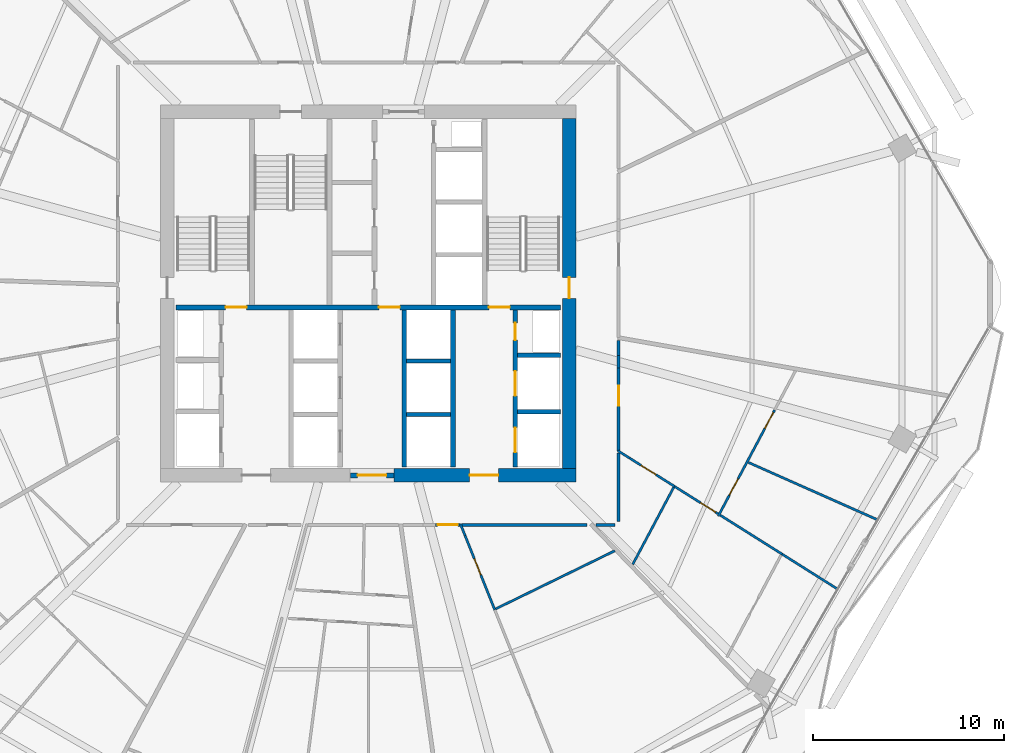
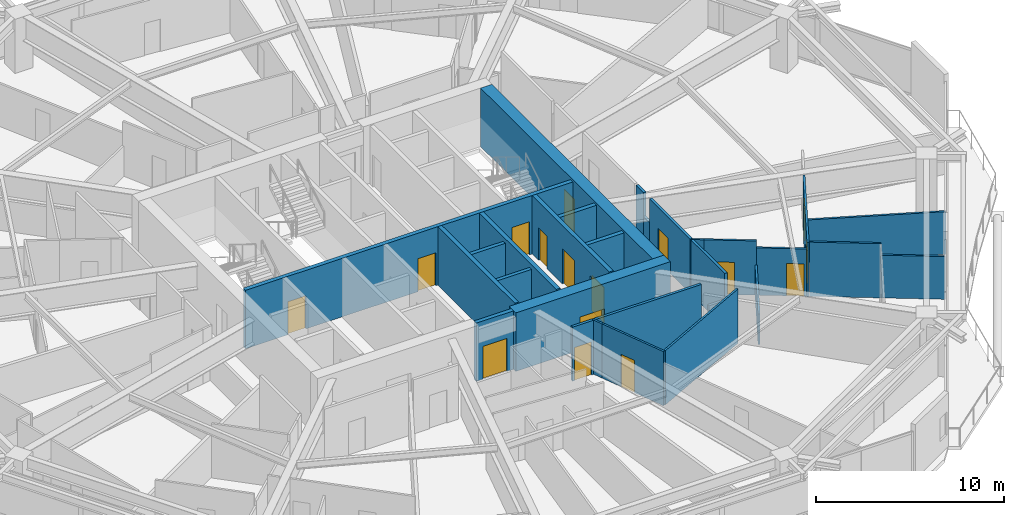
# One storey, part 28 of 33: 29 walls, 16 doors, 16 openings.
"""IFC4 building model written with IfcOpenShell, lengths in metres."""

from ifc_helpers import new_model, si_unit, direction, frame, frame_2d, origin, place, context, subcontext, project, spatial, rectangle, extrude, material, layer, layer_set, type_object, element, fill, save


model = new_model("IFC4")

# Units and contexts
model_context = context("Model", 3, precision=1e-05, world=origin(), true_north=direction((0.0, 1.0)))
body_context = subcontext(model_context, "Body", "Model", "MODEL_VIEW")
ifc_project = project(units=[si_unit("LENGTHUNIT", "METRE"), si_unit("AREAUNIT", "SQUARE_METRE"), si_unit("VOLUMEUNIT", "CUBIC_METRE"), si_unit("PLANEANGLEUNIT", "RADIAN"), si_unit("MASSUNIT", "GRAM", prefix="KILO")], contexts=[model_context])

# Site, building, storey
site_placement = place(None, origin())
site = spatial("IfcSite", under=ifc_project, at=site_placement, CompositionType="ELEMENT")
building_placement = place(site_placement, origin())
building = spatial("IfcBuilding", under=site, at=building_placement, Name="Zuhravey Tower", CompositionType="ELEMENT")
storey_placement = place(building_placement, frame((0.0, 0.0, 141.800048828125)))
storey = spatial("IfcBuildingStorey", under=building, at=storey_placement, Name="L35", CompositionType="ELEMENT", Elevation=141.800048828125)

# Wall, opening, door
ifc_material_1 = material(Name="Concrete C60/75", Category="concrete")
ifc_layer_1 = layer(ifc_material_1, 0.699951171875)
ifc_layer_set_1 = layer_set([ifc_layer_1], Name="Concrete C60/75")
wall_type_1 = type_object("IfcWallType", Name="Core Shear Wall 700", PredefinedType="SHEAR", material=ifc_layer_set_1)
wall_1_placement = place(storey_placement, frame((37.35009765625, 22.5, 0.0), z_axis=(0.0, 0.0, 1.0), x_axis=(1.0, 0.0, 0.0)))
wall_1 = element("IfcWall", 1, at=wall_1_placement, inside=storey, type_object=wall_type_1, Name="L35 South-East Core Shear Wall CW70", PredefinedType="SHEAR", context=body_context, shape_type="SweptSolid", body=[
    extrude(rectangle(XDim=9.5, YDim=0.699951171875, at=frame_2d((4.75, 0.0))), origin(), (0.0, 0.0, 1.0), 3.800048828125),
])
opening_1_placement = place(wall_1_placement, frame((3.949951171875, 0.0, 0.0)))
opening_1 = element("IfcOpeningElement", 2, at=opening_1_placement, cuts=wall_1, Name="Opening FFD1", PredefinedType="OPENING", context=body_context, shape_type="SweptSolid", body=[
    extrude(rectangle(XDim=1.5, YDim=2.14990234375, at=frame_2d((0.75, 1.074951171875))), frame((0.0, 0.362060546875, 0.0), z_axis=(0.0, -1.0, 0.0), x_axis=(1.0, 0.0, 0.0)), (0.0, 0.0, 1.0), 0.723876953125),
])
ifc_material_2 = material(Name="Galvanised fire-rated steel leaf", Category="steel")
door_type_1 = type_object("IfcDoorType", Name="Firefighting Lobby Double Door 1500x2150", OperationType="DOUBLE_DOOR_SINGLE_SWING", PredefinedType="DOOR", material=ifc_material_2)
door_1_placement = place(opening_1_placement, origin())
door_1 = element("IfcDoor", 3, at=door_1_placement, inside=storey, type_object=door_type_1, Name="L35 Firefighting Lobby East Door", OperationType="DOUBLE_DOOR_SINGLE_SWING", OverallHeight=2.14990234375, OverallWidth=1.5, PredefinedType="DOOR", context=body_context, shape_type="SweptSolid", body=[
    extrude(rectangle(XDim=1.5, YDim=2.14990234375, at=frame_2d((0.75, 1.074951171875))), frame((0.0, 0.02490234375, 0.0), z_axis=(0.0, -1.0, 0.0), x_axis=(1.0, 0.0, 0.0)), (0.0, 0.0, 1.0), 0.050048828125),
])
fill(opening_1, door_1)

wall_2_placement = place(storey_placement, frame((46.5, 22.85009765625, 0.0), z_axis=(0.0, 0.0, 1.0), x_axis=(0.0, 1.0, 0.0)))
wall_2 = element("IfcWall", 4, at=wall_2_placement, inside=storey, type_object=wall_type_1, Name="L35 East Core Shear Wall CW70", PredefinedType="SHEAR", context=body_context, shape_type="SweptSolid", body=[
    extrude(rectangle(XDim=18.2998046875, YDim=0.699951171875, at=frame_2d((9.14990234375, 0.0))), origin(), (0.0, 0.0, 1.0), 3.800048828125),
])
opening_2_placement = place(wall_2_placement, frame((8.89990234375, 0.0, 0.0)))
opening_2 = element("IfcOpeningElement", 5, at=opening_2_placement, cuts=wall_2, Name="Opening STD1", PredefinedType="OPENING", context=body_context, shape_type="SweptSolid", body=[
    extrude(rectangle(XDim=1.10009765625, YDim=2.14990234375, at=frame_2d((0.550048828125, 1.074951171875))), frame((0.0, 0.362060546875, 0.0), z_axis=(0.0, -1.0, 0.0), x_axis=(1.0, 0.0, 0.0)), (0.0, 0.0, 1.0), 0.723876953125),
])
door_type_2 = type_object("IfcDoorType", Name="Protected Stair Fire Door 1100x2150", OperationType="NOTDEFINED", PredefinedType="USERDEFINED", material=ifc_material_2)
door_2_placement = place(opening_2_placement, origin())
door_2 = element("IfcDoor", 6, at=door_2_placement, inside=storey, type_object=door_type_2, Name="L35 Stair ST2 Door", ObjectType="EXITDOOR", OperationType="SINGLE_SWING_LEFT", OverallHeight=2.14990234375, OverallWidth=1.10009765625, PredefinedType="USERDEFINED", context=body_context, shape_type="SweptSolid", body=[
    extrude(rectangle(XDim=1.10009765625, YDim=2.14990234375, at=frame_2d((0.550048828125, 1.074951171875))), frame((0.0, 0.02490234375, 0.0), z_axis=(0.0, -1.0, 0.0), x_axis=(1.0, 0.0, 0.0)), (0.0, 0.0, 1.0), 0.050048828125),
])
fill(opening_2, door_2)

ifc_material_3 = material(Name="Gypsum fire-rated stud partition")
ifc_layer_2 = layer(ifc_material_3, 0.159912109375)
ifc_layer_set_2 = layer_set([ifc_layer_2], Name="Gypsum fire-rated stud partition")
wall_type_2 = type_object("IfcWallType", Name="Corridor Fire Partition 160", PredefinedType="PARTITIONING", material=ifc_layer_set_2)
wall_3_placement = place(storey_placement, frame((39.507080078125, 19.919921875, 0.0), z_axis=(0.0, 0.0, 1.0), x_axis=(1.0, 0.0, 0.0)))
wall_3 = element("IfcWall", 7, at=wall_3_placement, inside=storey, type_object=wall_type_2, Name="L35 IW16 Partition 058", PredefinedType="PARTITIONING", context=body_context, shape_type="SweptSolid", body=[
    extrude(rectangle(XDim=1.302978515625, YDim=0.159912109375, at=frame_2d((0.6513671875, 0.0))), origin(), (0.0, 0.0, 1.0), 3.52001953125),
])
opening_3_placement = place(wall_3_placement, frame((0.1201171875, 0.0, 0.0)))
opening_3 = element("IfcOpeningElement", 8, at=opening_3_placement, cuts=wall_3, Name="Opening APD1", PredefinedType="OPENING", context=body_context, shape_type="SweptSolid", body=[
    extrude(rectangle(XDim=1.050048828125, YDim=2.14990234375, at=frame_2d((0.52490234375, 1.074951171875))), frame((0.0, 0.092041015625, 0.0), z_axis=(0.0, -1.0, 0.0), x_axis=(1.0, 0.0, 0.0)), (0.0, 0.0, 1.0), 0.183837890625),
])
ifc_material_4 = material(Name="Solid-core oak fire-rated leaf")
door_type_3 = type_object("IfcDoorType", Name="Apartment Entrance Fire Door 1050x2150", OperationType="NOTDEFINED", PredefinedType="DOOR", material=ifc_material_4)
door_3_placement = place(opening_3_placement, frame((1.050048828125, 0.0, 0.0), z_axis=(0.0, 0.0, 1.0), x_axis=(-1.0, 0.0, 0.0)))
door_3 = element("IfcDoor", 9, at=door_3_placement, inside=storey, type_object=door_type_3, Name="L35 Door 058.1", OperationType="SINGLE_SWING_RIGHT", OverallHeight=2.14990234375, OverallWidth=1.050048828125, PredefinedType="DOOR", context=body_context, shape_type="SweptSolid", body=[
    extrude(rectangle(XDim=1.050048828125, YDim=2.14990234375, at=frame_2d((0.52490234375, 1.074951171875))), frame((0.0, 0.02490234375, 0.0), z_axis=(0.0, -1.0, 0.0), x_axis=(1.0, 0.0, 0.0)), (0.0, 0.0, 1.0), 0.050048828125),
])
fill(opening_3, door_3)

wall_4_placement = place(storey_placement, frame((49.080078125, 23.78662109375, 0.0), z_axis=(0.0, 0.0, 1.0), x_axis=(0.0, 1.0, 0.0)))
wall_4 = element("IfcWall", 10, at=wall_4_placement, inside=storey, type_object=wall_type_2, Name="L35 IW16 Partition 064", PredefinedType="PARTITIONING", context=body_context, shape_type="SweptSolid", body=[
    extrude(rectangle(XDim=4.33056640625, YDim=0.159912109375, at=frame_2d((2.165283203125, 0.0))), origin(), (0.0, 0.0, 1.0), 3.52001953125),
])
opening_4_placement = place(wall_4_placement, frame((2.359375, 0.0, 0.0)))
opening_4 = element("IfcOpeningElement", 11, at=opening_4_placement, cuts=wall_4, Name="Opening APD1", PredefinedType="OPENING", context=body_context, shape_type="SweptSolid", body=[
    extrude(rectangle(XDim=1.050048828125, YDim=2.14990234375, at=frame_2d((0.52490234375, 1.074951171875))), frame((0.0, 0.092041015625, 0.0), z_axis=(0.0, -1.0, 0.0), x_axis=(1.0, 0.0, 0.0)), (0.0, 0.0, 1.0), 0.183837890625),
])
door_4_placement = place(opening_4_placement, frame((1.050048828125, 0.0, 0.0), z_axis=(0.0, 0.0, 1.0), x_axis=(-1.0, 0.0, 0.0)))
door_4 = element("IfcDoor", 12, at=door_4_placement, inside=storey, type_object=door_type_3, Name="L35 Door 064.1", OperationType="SINGLE_SWING_RIGHT", OverallHeight=2.14990234375, OverallWidth=1.050048828125, PredefinedType="DOOR", context=body_context, shape_type="SweptSolid", body=[
    extrude(rectangle(XDim=1.050048828125, YDim=2.14990234375, at=frame_2d((0.52490234375, 1.074951171875))), frame((0.0, 0.02490234375, 0.0), z_axis=(0.0, -1.0, 0.0), x_axis=(1.0, 0.0, 0.0)), (0.0, 0.0, 1.0), 0.050048828125),
])
fill(opening_4, door_4)

# Walls
wall_5_placement = place(storey_placement, frame((49.080078125, 28.1171875, 0.0), z_axis=(0.0, 0.0, 1.0), x_axis=(0.0, 1.0, 0.0)))
element("IfcWall", 13, at=wall_5_placement, inside=storey, type_object=wall_type_2, Name="L35 IW16 Partition 137", PredefinedType="PARTITIONING", context=body_context, shape_type="SweptSolid", body=[
    extrude(rectangle(XDim=0.644775390625, YDim=0.159912109375, at=frame_2d((0.322265625, 0.0))), origin(), (0.0, 0.0, 1.0), 1.969970703125),
])
wall_6_placement = place(storey_placement, frame((49.080078125, 28.761962890625, 0.0), z_axis=(0.0, 0.0, 1.0), x_axis=(0.0, 1.0, 0.0)))
element("IfcWall", 14, at=wall_6_placement, inside=storey, type_object=wall_type_2, Name="L35 IW16 Partition 138", PredefinedType="PARTITIONING", context=body_context, shape_type="SweptSolid", body=[
    extrude(rectangle(XDim=0.79345703125, YDim=0.159912109375, at=frame_2d((0.396728515625, 0.0))), origin(), (0.0, 0.0, 1.0), 3.52001953125),
])
wall_7_placement = place(storey_placement, frame((40.90478515625, 19.919921875, 0.0), z_axis=(0.0, 0.0, 1.0), x_axis=(1.0, 0.0, 0.0)))
element("IfcWall", 15, at=wall_7_placement, inside=storey, type_object=wall_type_2, Name="L35 IW16 Partition 151", PredefinedType="PARTITIONING", context=body_context, shape_type="SweptSolid", body=[
    extrude(rectangle(XDim=6.531005859375, YDim=0.159912109375, at=frame_2d((3.265625, 0.0))), origin(), (0.0, 0.0, 1.0), 3.52001953125),
])
wall_8_placement = place(storey_placement, frame((49.080078125, 20.10009765625, 0.0), z_axis=(0.0, 0.0, 1.0), x_axis=(0.0, 1.0, 0.0)))
element("IfcWall", 16, at=wall_8_placement, inside=storey, type_object=wall_type_2, Name="L35 IW16 Partition 152", PredefinedType="PARTITIONING", context=body_context, shape_type="SweptSolid", body=[
    extrude(rectangle(XDim=3.582763671875, YDim=0.159912109375, at=frame_2d((1.79150390625, 0.0))), origin(), (0.0, 0.0, 1.0), 3.52001953125),
])
wall_9_placement = place(storey_placement, frame((47.89892578125, 19.919921875, 0.0), z_axis=(0.0, 0.0, 1.0), x_axis=(1.0, 0.0, 0.0)))
element("IfcWall", 17, at=wall_9_placement, inside=storey, type_object=wall_type_2, Name="L35 IW16 Partition 153", PredefinedType="PARTITIONING", context=body_context, shape_type="SweptSolid", body=[
    extrude(rectangle(XDim=1.0009765625, YDim=0.159912109375, at=frame_2d((0.50048828125, 0.0))), origin(), (0.0, 0.0, 1.0), 1.969970703125),
])

# Wall, opening, door
ifc_material_5 = material(Name="Concrete C50/60", Category="concrete")
ifc_layer_3 = layer(ifc_material_5, 0.25)
ifc_layer_set_3 = layer_set([ifc_layer_3], Name="Concrete C50/60")
wall_type_3 = type_object("IfcWallType", Name="Firefighting Shaft & Stair Wall 250", PredefinedType="SOLIDWALL", material=ifc_layer_set_3)
wall_10_placement = place(storey_placement, frame((35.06005859375, 22.5, 0.0), z_axis=(0.0, 0.0, 1.0), x_axis=(1.0, 0.0, 0.0)))
wall_10 = element("IfcWall", 18, at=wall_10_placement, inside=storey, type_object=wall_type_3, Name="L35 FW25 Shaft Wall 001", PredefinedType="SOLIDWALL", context=body_context, shape_type="SweptSolid", body=[
    extrude(rectangle(XDim=2.280029296875, YDim=0.25, at=frame_2d((1.14013671875, 0.0))), origin(), (0.0, 0.0, 1.0), 3.800048828125),
])
opening_5_placement = place(wall_10_placement, frame((0.389892578125, 0.0, 0.0)))
opening_5 = element("IfcOpeningElement", 19, at=opening_5_placement, cuts=wall_10, Name="Opening FFD1", PredefinedType="OPENING", context=body_context, shape_type="SweptSolid", body=[
    extrude(rectangle(XDim=1.5, YDim=2.14990234375, at=frame_2d((0.75, 1.074951171875))), frame((0.0, 0.136962890625, 0.0), z_axis=(0.0, -1.0, 0.0), x_axis=(1.0, 0.0, 0.0)), (0.0, 0.0, 1.0), 0.27392578125),
])
door_5_placement = place(opening_5_placement, frame((1.5, 0.0, 0.0), z_axis=(0.0, 0.0, 1.0), x_axis=(-1.0, 0.0, 0.0)))
door_5 = element("IfcDoor", 20, at=door_5_placement, inside=storey, type_object=door_type_1, Name="L35 South Lift Lobby Exit Door", OperationType="DOUBLE_DOOR_SINGLE_SWING", OverallHeight=2.14990234375, OverallWidth=1.5, PredefinedType="DOOR", context=body_context, shape_type="SweptSolid", body=[
    extrude(rectangle(XDim=1.5, YDim=2.14990234375, at=frame_2d((0.75, 1.074951171875))), frame((0.0, 0.02490234375, 0.0), z_axis=(0.0, -1.0, 0.0), x_axis=(1.0, 0.0, 0.0)), (0.0, 0.0, 1.0), 0.050048828125),
])
fill(opening_5, door_5)

# Wall, openings, doors
wall_11_placement = place(storey_placement, frame((25.949951171875, 31.27490234375, 0.0), z_axis=(0.0, 0.0, 1.0), x_axis=(1.0, 0.0, 0.0)))
wall_11 = element("IfcWall", 21, at=wall_11_placement, inside=storey, type_object=wall_type_3, Name="L35 FW25 Shaft Wall 003", PredefinedType="SOLIDWALL", context=body_context, shape_type="SweptSolid", body=[
    extrude(rectangle(XDim=20.10009765625, YDim=0.25, at=frame_2d((10.050048828125, 0.0))), origin(), (0.0, 0.0, 1.0), 3.800048828125),
])
opening_6_placement = place(wall_11_placement, frame((2.60009765625, 0.0, 0.0)))
opening_6 = element("IfcOpeningElement", 22, at=opening_6_placement, cuts=wall_11, Name="Opening STD1", PredefinedType="OPENING", context=body_context, shape_type="SweptSolid", body=[
    extrude(rectangle(XDim=1.10009765625, YDim=2.14990234375, at=frame_2d((0.550048828125, 1.074951171875))), frame((0.0, 0.136962890625, 0.0), z_axis=(0.0, -1.0, 0.0), x_axis=(1.0, 0.0, 0.0)), (0.0, 0.0, 1.0), 0.27392578125),
])
opening_7_placement = place(wall_11_placement, frame((10.60009765625, 0.0, 0.0)))
opening_7 = element("IfcOpeningElement", 23, at=opening_7_placement, cuts=wall_11, Name="Opening STD1", PredefinedType="OPENING", context=body_context, shape_type="SweptSolid", body=[
    extrude(rectangle(XDim=1.10009765625, YDim=2.14990234375, at=frame_2d((0.550048828125, 1.074951171875))), frame((0.0, 0.136962890625, 0.0), z_axis=(0.0, -1.0, 0.0), x_axis=(1.0, 0.0, 0.0)), (0.0, 0.0, 1.0), 0.27392578125),
])
opening_8_placement = place(wall_11_placement, frame((16.35009765625, 0.0, 0.0)))
opening_8 = element("IfcOpeningElement", 24, at=opening_8_placement, cuts=wall_11, Name="Opening STD1", PredefinedType="OPENING", context=body_context, shape_type="SweptSolid", body=[
    extrude(rectangle(XDim=1.10009765625, YDim=2.14990234375, at=frame_2d((0.550048828125, 1.074951171875))), frame((0.0, 0.136962890625, 0.0), z_axis=(0.0, -1.0, 0.0), x_axis=(1.0, 0.0, 0.0)), (0.0, 0.0, 1.0), 0.27392578125),
])
door_6_placement = place(opening_6_placement, origin())
door_6 = element("IfcDoor", 25, at=door_6_placement, inside=storey, type_object=door_type_2, Name="L35 FFL-W to ST1 Door", ObjectType="EXITDOOR", OperationType="SINGLE_SWING_LEFT", OverallHeight=2.14990234375, OverallWidth=1.10009765625, PredefinedType="USERDEFINED", context=body_context, shape_type="SweptSolid", body=[
    extrude(rectangle(XDim=1.10009765625, YDim=2.14990234375, at=frame_2d((0.550048828125, 1.074951171875))), frame((0.0, 0.02490234375, 0.0), z_axis=(0.0, -1.0, 0.0), x_axis=(1.0, 0.0, 0.0)), (0.0, 0.0, 1.0), 0.050048828125),
])
fill(opening_6, door_6)
door_7_placement = place(opening_7_placement, origin())
door_7 = element("IfcDoor", 26, at=door_7_placement, inside=storey, type_object=door_type_2, Name="L35 Core Lobby Link Door", ObjectType="EXITDOOR", OperationType="SINGLE_SWING_RIGHT", OverallHeight=2.14990234375, OverallWidth=1.10009765625, PredefinedType="USERDEFINED", context=body_context, shape_type="SweptSolid", body=[
    extrude(rectangle(XDim=1.10009765625, YDim=2.14990234375, at=frame_2d((0.550048828125, 1.074951171875))), frame((0.0, 0.02490234375, 0.0), z_axis=(0.0, -1.0, 0.0), x_axis=(1.0, 0.0, 0.0)), (0.0, 0.0, 1.0), 0.050048828125),
])
fill(opening_7, door_7)
door_8_placement = place(opening_8_placement, origin())
door_8 = element("IfcDoor", 27, at=door_8_placement, inside=storey, type_object=door_type_2, Name="L35 FFL-E to ST2 Door", ObjectType="EXITDOOR", OperationType="SINGLE_SWING_LEFT", OverallHeight=2.14990234375, OverallWidth=1.10009765625, PredefinedType="USERDEFINED", context=body_context, shape_type="SweptSolid", body=[
    extrude(rectangle(XDim=1.10009765625, YDim=2.14990234375, at=frame_2d((0.550048828125, 1.074951171875))), frame((0.0, 0.02490234375, 0.0), z_axis=(0.0, -1.0, 0.0), x_axis=(1.0, 0.0, 0.0)), (0.0, 0.0, 1.0), 0.050048828125),
])
fill(opening_8, door_8)

# Walls
for number, where, z_axis, x_axis, name in (
    (28, (37.875, 22.949951171875, 0.0), (0.0, 0.0, 1.0), (0.0, 1.0, 0.0), "L35 FW25 Shaft Wall 014"),
    (29, (40.425048828125, 22.949951171875, 0.0), (0.0, 0.0, 1.0), (0.0, 1.0, 0.0), "L35 FW25 Shaft Wall 015"),
):
    element("IfcWall", number, at=place(storey_placement, frame(where, z_axis=z_axis, x_axis=x_axis)), inside=storey, type_object=wall_type_3, Name=name, PredefinedType="SOLIDWALL", context=body_context, shape_type="SweptSolid", body=[
        extrude(rectangle(XDim=8.199951171875, YDim=0.25, at=frame_2d((4.10009765625, 0.0))), origin(), (0.0, 0.0, 1.0), 3.800048828125),
    ])
for number, where, z_axis, x_axis, name in (
    (30, (43.800048828125, 25.824951171875, 0.0), (0.0, 0.0, 1.0), (1.0, 0.0, 0.0), "L35 FW25 Shaft Wall 016"),
    (31, (43.800048828125, 28.77490234375, 0.0), (0.0, 0.0, 1.0), (1.0, 0.0, 0.0), "L35 FW25 Shaft Wall 017"),
):
    element("IfcWall", number, at=place(storey_placement, frame(where, z_axis=z_axis, x_axis=x_axis)), inside=storey, type_object=wall_type_3, Name=name, PredefinedType="SOLIDWALL", context=body_context, shape_type="SweptSolid", body=[
        extrude(rectangle(XDim=2.25, YDim=0.25, at=frame_2d((1.125, 0.0))), origin(), (0.0, 0.0, 1.0), 3.800048828125),
    ])

# Wall, openings, doors
wall_12_placement = place(storey_placement, frame((43.675048828125, 22.949951171875, 0.0), z_axis=(0.0, 0.0, 1.0), x_axis=(0.0, 1.0, 0.0)))
wall_12 = element("IfcWall", 32, at=wall_12_placement, inside=storey, type_object=wall_type_3, Name="L35 FW25 Shaft Wall 018", PredefinedType="SOLIDWALL", context=body_context, shape_type="SweptSolid", body=[
    extrude(rectangle(XDim=8.199951171875, YDim=0.25, at=frame_2d((4.10009765625, 0.0))), origin(), (0.0, 0.0, 1.0), 3.800048828125),
])
opening_9_placement = place(wall_12_placement, frame((0.75, 0.0, 0.0)))
opening_9 = element("IfcOpeningElement", 33, at=opening_9_placement, cuts=wall_12, Name="Opening LD2", PredefinedType="OPENING", context=body_context, shape_type="SweptSolid", body=[
    extrude(rectangle(XDim=1.300048828125, YDim=2.300048828125, at=frame_2d((0.64990234375, 1.14990234375))), frame((0.0, 0.136962890625, 0.0), z_axis=(0.0, -1.0, 0.0), x_axis=(1.0, 0.0, 0.0)), (0.0, 0.0, 1.0), 0.27392578125),
])
opening_10_placement = place(wall_12_placement, frame((3.699951171875, 0.0, 0.0)))
opening_10 = element("IfcOpeningElement", 34, at=opening_10_placement, cuts=wall_12, Name="Opening LD2", PredefinedType="OPENING", context=body_context, shape_type="SweptSolid", body=[
    extrude(rectangle(XDim=1.300048828125, YDim=2.300048828125, at=frame_2d((0.64990234375, 1.14990234375))), frame((0.0, 0.136962890625, 0.0), z_axis=(0.0, -1.0, 0.0), x_axis=(1.0, 0.0, 0.0)), (0.0, 0.0, 1.0), 0.27392578125),
])
opening_11_placement = place(wall_12_placement, frame((6.6201171875, 0.0, 0.0)))
opening_11 = element("IfcOpeningElement", 35, at=opening_11_placement, cuts=wall_12, Name="Opening RSD1", PredefinedType="OPENING", context=body_context, shape_type="SweptSolid", body=[
    extrude(rectangle(XDim=0.89990234375, YDim=2.10009765625, at=frame_2d((0.449951171875, 1.050048828125))), frame((0.0, 0.136962890625, 0.0), z_axis=(0.0, -1.0, 0.0), x_axis=(1.0, 0.0, 0.0)), (0.0, 0.0, 1.0), 0.27392578125),
])
ifc_material_6 = material(Name="Brushed stainless steel", Category="steel")
door_type_4 = type_object("IfcDoorType", Name="Freight & Stretcher Lift Sliding Door 1300x2300", OperationType="DOUBLE_DOOR_SLIDING", PredefinedType="DOOR", material=ifc_material_6)
door_9_placement = place(opening_9_placement, origin())
door_9 = element("IfcDoor", 36, at=door_9_placement, inside=storey, type_object=door_type_4, Name="L35 Lift FF2 Landing Door", OperationType="DOUBLE_DOOR_SLIDING", OverallHeight=2.300048828125, OverallWidth=1.300048828125, PredefinedType="DOOR", context=body_context, shape_type="SweptSolid", body=[
    extrude(rectangle(XDim=1.300048828125, YDim=2.300048828125, at=frame_2d((0.64990234375, 1.14990234375))), frame((0.0, 0.02490234375, 0.0), z_axis=(0.0, -1.0, 0.0), x_axis=(1.0, 0.0, 0.0)), (0.0, 0.0, 1.0), 0.050048828125),
])
fill(opening_9, door_9)
door_10_placement = place(opening_10_placement, origin())
door_10 = element("IfcDoor", 37, at=door_10_placement, inside=storey, type_object=door_type_4, Name="L35 Lift SV1 Landing Door", OperationType="DOUBLE_DOOR_SLIDING", OverallHeight=2.300048828125, OverallWidth=1.300048828125, PredefinedType="DOOR", context=body_context, shape_type="SweptSolid", body=[
    extrude(rectangle(XDim=1.300048828125, YDim=2.300048828125, at=frame_2d((0.64990234375, 1.14990234375))), frame((0.0, 0.02490234375, 0.0), z_axis=(0.0, -1.0, 0.0), x_axis=(1.0, 0.0, 0.0)), (0.0, 0.0, 1.0), 0.050048828125),
])
fill(opening_10, door_10)
ifc_material_7 = material(Name="Galvanised fire-rated steel access leaf", Category="steel")
door_type_5 = type_object("IfcDoorType", Name="Riser & Shaft Access Fire Door 900x2100", OperationType="NOTDEFINED", PredefinedType="DOOR", material=ifc_material_7)
door_11_placement = place(opening_11_placement, origin())
door_11 = element("IfcDoor", 38, at=door_11_placement, inside=storey, type_object=door_type_5, Name="L35 Plumbing Riser Door", OperationType="SINGLE_SWING_RIGHT", OverallHeight=2.10009765625, OverallWidth=0.89990234375, PredefinedType="DOOR", context=body_context, shape_type="SweptSolid", body=[
    extrude(rectangle(XDim=0.89990234375, YDim=2.10009765625, at=frame_2d((0.449951171875, 1.050048828125))), frame((0.0, 0.02490234375, 0.0), z_axis=(0.0, -1.0, 0.0), x_axis=(1.0, 0.0, 0.0)), (0.0, 0.0, 1.0), 0.050048828125),
])
fill(opening_11, door_11)

# Walls
ifc_material_8 = material(Name="Gypsum acoustic stud assembly")
ifc_layer_4 = layer(ifc_material_8, 0.219970703125)
ifc_layer_set_4 = layer_set([ifc_layer_4], Name="Gypsum acoustic stud assembly")
wall_type_4 = type_object("IfcWallType", Name="School Acoustic Compartment Wall 220", PredefinedType="PARTITIONING", material=ifc_layer_set_4)
for number, where, z_axis, x_axis, name in (
    (39, (38.008056640625, 25.675048828125, 0.0), (0.0, 0.0, 1.0), (1.0, 0.0, 0.0), "L35 IW22 Partition 073"),
    (40, (38.008056640625, 28.47509765625, 0.0), (0.0, 0.0, 1.0), (1.0, 0.0, 0.0), "L35 IW22 Partition 074"),
):
    element("IfcWall", number, at=place(storey_placement, frame(where, z_axis=z_axis, x_axis=x_axis)), inside=storey, type_object=wall_type_4, Name=name, PredefinedType="PARTITIONING", context=body_context, shape_type="SweptSolid", body=[
        extrude(rectangle(XDim=2.283935546875, YDim=0.219970703125, at=frame_2d((1.14208984375, 0.0))), origin(), (0.0, 0.0, 1.0), 3.52001953125),
    ])

# Wall, opening, door
ifc_material_9 = material(Name="Gypsum metal-stud partition")
ifc_layer_5 = layer(ifc_material_9, 0.1201171875)
ifc_layer_set_5 = layer_set([ifc_layer_5], Name="Gypsum metal-stud partition")
wall_type_5 = type_object("IfcWallType", Name="Unit Internal Partition 120", PredefinedType="PARTITIONING", material=ifc_layer_set_5)
wall_13_placement = place(storey_placement, frame((41.059814453125, 19.35009765625, 0.0), z_axis=(0.0, 0.0, 1.0), x_axis=(0.371320023402, -0.928504948948, 0.0)))
wall_13 = element("IfcWall", 41, at=wall_13_placement, inside=storey, type_object=wall_type_5, Name="L35 IW12 Partition 055", PredefinedType="PARTITIONING", context=body_context, shape_type="SweptSolid", body=[
    extrude(rectangle(XDim=4.17041015625, YDim=0.1201171875, at=frame_2d((2.085205078125, 0.0))), origin(), (0.0, 0.0, 1.0), 3.52001953125),
])
opening_12_placement = place(wall_13_placement, frame((1.301513671875, 0.0, 0.0)))
opening_12 = element("IfcOpeningElement", 42, at=opening_12_placement, cuts=wall_13, Name="Opening WCD1", PredefinedType="OPENING", context=body_context, shape_type="SweptSolid", body=[
    extrude(rectangle(XDim=0.89990234375, YDim=2.10009765625, at=frame_2d((0.449951171875, 1.050048828125))), frame((0.0, 0.072021484375, 0.0), z_axis=(0.0, -1.0, 0.0), x_axis=(1.0, 0.0, 0.0)), (0.0, 0.0, 1.0), 0.14404296875),
])
ifc_material_10 = material(Name="Moisture-resistant timber leaf", Category="wood")
door_type_6 = type_object("IfcDoorType", Name="Bathroom & WC Internal Door 900x2100", OperationType="NOTDEFINED", PredefinedType="DOOR", material=ifc_material_10)
door_12_placement = place(opening_12_placement, origin())
door_12 = element("IfcDoor", 43, at=door_12_placement, inside=storey, type_object=door_type_6, Name="Apartment L35-08 Bathroom Door", OperationType="SINGLE_SWING_LEFT", OverallHeight=2.10009765625, OverallWidth=0.89990234375, PredefinedType="DOOR", context=body_context, shape_type="SweptSolid", body=[
    extrude(rectangle(XDim=0.89990234375, YDim=2.10009765625, at=frame_2d((0.449951171875, 1.050048828125))), frame((0.0, 0.02490234375, 0.0), z_axis=(0.0, -1.0, 0.0), x_axis=(1.0, 0.0, 0.0)), (0.0, 0.0, 1.0), 0.050048828125),
])
fill(opening_12, door_12)

# Wall, openings, doors
wall_14_placement = place(storey_placement, frame((54.279541015625, 20.37060546875, 0.0), z_axis=(0.0, 0.0, 1.0), x_axis=(0.469441417628, 0.882963620664, 0.0)))
wall_14 = element("IfcWall", 44, at=wall_14_placement, inside=storey, type_object=wall_type_5, Name="L35 IW12 Partition 059", PredefinedType="PARTITIONING", context=body_context, shape_type="SweptSolid", body=[
    extrude(rectangle(XDim=6.2783203125, YDim=0.1201171875, at=frame_2d((3.13916015625, 0.0))), origin(), (0.0, 0.0, 1.0), 3.52001953125),
])
opening_13_placement = place(wall_14_placement, frame((1.25244140625, 0.0, 0.0)))
opening_13 = element("IfcOpeningElement", 45, at=opening_13_placement, cuts=wall_14, Name="Opening IND1", PredefinedType="OPENING", context=body_context, shape_type="SweptSolid", body=[
    extrude(rectangle(XDim=0.949951171875, YDim=2.10009765625, at=frame_2d((0.47509765625, 1.050048828125))), frame((0.0, 0.072021484375, 0.0), z_axis=(0.0, -1.0, 0.0), x_axis=(1.0, 0.0, 0.0)), (0.0, 0.0, 1.0), 0.14404296875),
])
opening_14_placement = place(wall_14_placement, frame((5.188232421875, 0.0, 0.0)))
opening_14 = element("IfcOpeningElement", 46, at=opening_14_placement, cuts=wall_14, Name="Opening IND1", PredefinedType="OPENING", context=body_context, shape_type="SweptSolid", body=[
    extrude(rectangle(XDim=0.949951171875, YDim=2.10009765625, at=frame_2d((0.47509765625, 1.050048828125))), frame((0.0, 0.072021484375, 0.0), z_axis=(0.0, -1.0, 0.0), x_axis=(1.0, 0.0, 0.0)), (0.0, 0.0, 1.0), 0.14404296875),
])
ifc_material_11 = material(Name="Painted engineered timber leaf", Category="wood")
door_type_7 = type_object("IfcDoorType", Name="Internal Room & Bedroom Door 950x2100", OperationType="NOTDEFINED", PredefinedType="DOOR", material=ifc_material_11)
door_13_placement = place(opening_13_placement, frame((0.949951171875, 0.0, 0.0), z_axis=(0.0, 0.0, 1.0), x_axis=(-1.0, 0.0, 0.0)))
door_13 = element("IfcDoor", 47, at=door_13_placement, inside=storey, type_object=door_type_7, Name="Apartment L35-09 Family Study Door", OperationType="SINGLE_SWING_LEFT", OverallHeight=2.10009765625, OverallWidth=0.949951171875, PredefinedType="DOOR", context=body_context, shape_type="SweptSolid", body=[
    extrude(rectangle(XDim=0.949951171875, YDim=2.10009765625, at=frame_2d((0.47509765625, 1.050048828125))), frame((0.0, 0.02490234375, 0.0), z_axis=(0.0, -1.0, 0.0), x_axis=(1.0, 0.0, 0.0)), (0.0, 0.0, 1.0), 0.050048828125),
])
fill(opening_13, door_13)
door_14_placement = place(opening_14_placement, frame((0.949951171875, 0.0, 0.0), z_axis=(0.0, 0.0, 1.0), x_axis=(-1.0, 0.0, 0.0)))
door_14 = element("IfcDoor", 48, at=door_14_placement, inside=storey, type_object=door_type_7, Name="Apartment L35-09 Dining Room Door", OperationType="SINGLE_SWING_RIGHT", OverallHeight=2.10009765625, OverallWidth=0.949951171875, PredefinedType="DOOR", context=body_context, shape_type="SweptSolid", body=[
    extrude(rectangle(XDim=0.949951171875, YDim=2.10009765625, at=frame_2d((0.47509765625, 1.050048828125))), frame((0.0, 0.02490234375, 0.0), z_axis=(0.0, -1.0, 0.0), x_axis=(1.0, 0.0, 0.0)), (0.0, 0.0, 1.0), 0.050048828125),
])
fill(opening_14, door_14)

# Wall, opening, door
wall_15_placement = place(storey_placement, frame((49.64990234375, 23.404296875, 0.0), z_axis=(0.0, 0.0, 1.0), x_axis=(0.846190371544, -0.532880713769, 0.0)))
wall_15 = element("IfcWall", 49, at=wall_15_placement, inside=storey, type_object=wall_type_5, Name="L35 IW12 Partition 060", PredefinedType="PARTITIONING", context=body_context, shape_type="SweptSolid", body=[
    extrude(rectangle(XDim=2.7841796875, YDim=0.1201171875, at=frame_2d((1.39208984375, 0.0))), origin(), (0.0, 0.0, 1.0), 3.52001953125),
])
opening_15_placement = place(wall_15_placement, frame((0.71923828125, 0.0, 0.0)))
opening_15 = element("IfcOpeningElement", 50, at=opening_15_placement, cuts=wall_15, Name="Opening WCD1", PredefinedType="OPENING", context=body_context, shape_type="SweptSolid", body=[
    extrude(rectangle(XDim=0.89990234375, YDim=2.10009765625, at=frame_2d((0.449951171875, 1.050048828125))), frame((0.0, 0.072021484375, 0.0), z_axis=(0.0, -1.0, 0.0), x_axis=(1.0, 0.0, 0.0)), (0.0, 0.0, 1.0), 0.14404296875),
])
door_15_placement = place(opening_15_placement, frame((0.89990234375, 0.0, 0.0), z_axis=(0.0, 0.0, 1.0), x_axis=(-1.0, 0.0, 0.0)))
door_15 = element("IfcDoor", 51, at=door_15_placement, inside=storey, type_object=door_type_6, Name="Apartment L35-09 Bathroom Door", OperationType="SINGLE_SWING_LEFT", OverallHeight=2.10009765625, OverallWidth=0.89990234375, PredefinedType="DOOR", context=body_context, shape_type="SweptSolid", body=[
    extrude(rectangle(XDim=0.89990234375, YDim=2.10009765625, at=frame_2d((0.449951171875, 1.050048828125))), frame((0.0, 0.02490234375, 0.0), z_axis=(0.0, -1.0, 0.0), x_axis=(1.0, 0.0, 0.0)), (0.0, 0.0, 1.0), 0.050048828125),
])
fill(opening_15, door_15)

wall_16_placement = place(storey_placement, frame((52.005859375, 21.920654296875, 0.0), z_axis=(0.0, 0.0, 1.0), x_axis=(0.846193199802, -0.532876222596, 0.0)))
wall_16 = element("IfcWall", 52, at=wall_16_placement, inside=storey, type_object=wall_type_5, Name="L35 IW12 Partition 061", PredefinedType="PARTITIONING", context=body_context, shape_type="SweptSolid", body=[
    extrude(rectangle(XDim=2.67431640625, YDim=0.1201171875, at=frame_2d((1.337158203125, 0.0))), origin(), (0.0, 0.0, 1.0), 3.070068359375),
])
opening_16_placement = place(wall_16_placement, frame((1.58447265625, 0.0, 0.0)))
opening_16 = element("IfcOpeningElement", 53, at=opening_16_placement, cuts=wall_16, Name="Opening IND1", PredefinedType="OPENING", context=body_context, shape_type="SweptSolid", body=[
    extrude(rectangle(XDim=0.949951171875, YDim=2.10009765625, at=frame_2d((0.47509765625, 1.050048828125))), frame((0.0, 0.072021484375, 0.0), z_axis=(0.0, -1.0, 0.0), x_axis=(1.0, 0.0, 0.0)), (0.0, 0.0, 1.0), 0.14404296875),
])
door_16_placement = place(opening_16_placement, frame((0.949951171875, 0.0, 0.0), z_axis=(0.0, 0.0, 1.0), x_axis=(-1.0, 0.0, 0.0)))
door_16 = element("IfcDoor", 54, at=door_16_placement, inside=storey, type_object=door_type_7, Name="Apartment L35-09 Home Office Door", OperationType="SINGLE_SWING_RIGHT", OverallHeight=2.10009765625, OverallWidth=0.949951171875, PredefinedType="DOOR", context=body_context, shape_type="SweptSolid", body=[
    extrude(rectangle(XDim=0.949951171875, YDim=2.10009765625, at=frame_2d((0.47509765625, 1.050048828125))), frame((0.0, 0.02490234375, 0.0), z_axis=(0.0, -1.0, 0.0), x_axis=(1.0, 0.0, 0.0)), (0.0, 0.0, 1.0), 0.050048828125),
])
fill(opening_16, door_16)

# Walls
wall_17_placement = place(storey_placement, frame((54.38427734375, 20.4228515625, 0.0), z_axis=(0.0, 0.0, 1.0), x_axis=(0.846198695146, -0.532867496037, 0.0)))
element("IfcWall", 55, at=wall_17_placement, inside=storey, type_object=wall_type_5, Name="L35 IW12 Partition 062", PredefinedType="PARTITIONING", context=body_context, shape_type="SweptSolid", body=[
    extrude(rectangle(XDim=3.821044921875, YDim=0.1201171875, at=frame_2d((1.91064453125, 0.0))), origin(), (0.0, 0.0, 1.0), 3.52001953125),
])
wall_18_placement = place(storey_placement, frame((40.814453125, 19.963134765625, 0.0), z_axis=(0.0, 0.0, 1.0), x_axis=(0.371581909809, -0.928400174657, 0.0)))
element("IfcWall", 56, at=wall_18_placement, inside=storey, type_object=wall_type_5, Name="L35 IW12 Partition 123", PredefinedType="PARTITIONING", context=body_context, shape_type="SweptSolid", body=[
    extrude(rectangle(XDim=0.660400390625, YDim=0.1201171875, at=frame_2d((0.330078125, 0.0))), origin(), (0.0, 0.0, 1.0), 3.52001953125),
])
wall_19_placement = place(storey_placement, frame((42.660400390625, 15.53076171875, 0.0), z_axis=(0.0, 0.0, 1.0), x_axis=(0.898796900982, 0.438365293773, 0.0)))
element("IfcWall", 57, at=wall_19_placement, inside=storey, type_object=wall_type_5, Name="L35 IW12 Partition 125", PredefinedType="PARTITIONING", context=body_context, shape_type="SweptSolid", body=[
    extrude(rectangle(XDim=6.926025390625, YDim=0.1201171875, at=frame_2d((3.462890625, 0.0))), origin(), (0.0, 0.0, 1.0), 3.52001953125),
])
wall_20_placement = place(storey_placement, frame((55.850830078125, 23.18115234375, 0.0), z_axis=(0.0, 0.0, 1.0), x_axis=(0.913861683545, -0.406025643707, 0.0)))
element("IfcWall", 58, at=wall_20_placement, inside=storey, type_object=wall_type_5, Name="L35 IW12 Partition 130", PredefinedType="PARTITIONING", context=body_context, shape_type="SweptSolid", body=[
    extrude(rectangle(XDim=7.428955078125, YDim=0.1201171875, at=frame_2d((3.71435546875, 0.0))), origin(), (0.0, 0.0, 1.0), 2.77001953125),
])
wall_21_placement = place(storey_placement, frame((49.04248046875, 23.78662109375, 0.0), z_axis=(0.0, 0.0, 1.0), x_axis=(0.846312356727, -0.532686957651, 0.0)))
element("IfcWall", 59, at=wall_21_placement, inside=storey, type_object=wall_type_5, Name="L35 IW12 Partition 133", PredefinedType="PARTITIONING", context=body_context, shape_type="SweptSolid", body=[
    extrude(rectangle(XDim=0.7177734375, YDim=0.1201171875, at=frame_2d((0.35888671875, 0.0))), origin(), (0.0, 0.0, 1.0), 3.52001953125),
])
wall_22_placement = place(storey_placement, frame((57.61767578125, 18.38671875, 0.0), z_axis=(0.0, 0.0, 1.0), x_axis=(0.846190145903, -0.532881072076, 0.0)))
element("IfcWall", 60, at=wall_22_placement, inside=storey, type_object=wall_type_5, Name="L35 IW12 Partition 134", PredefinedType="PARTITIONING", context=body_context, shape_type="SweptSolid", body=[
    extrude(rectangle(XDim=3.43798828125, YDim=0.1201171875, at=frame_2d((1.718994140625, 0.0))), origin(), (0.0, 0.0, 1.0), 2.77001953125),
])
wall_23_placement = place(storey_placement, frame((49.813720703125, 17.85107421875, 0.0), z_axis=(0.0, 0.0, 1.0), x_axis=(0.469430775165, 0.882969278813, 0.0)))
element("IfcWall", 61, at=wall_23_placement, inside=storey, type_object=wall_type_5, Name="L35 IW12 Partition 135", PredefinedType="PARTITIONING", context=body_context, shape_type="SweptSolid", body=[
    extrude(rectangle(XDim=4.555908203125, YDim=0.1201171875, at=frame_2d((2.27783203125, 0.0))), origin(), (0.0, 0.0, 1.0), 1.969970703125),
])

save(model, "model.ifc")
